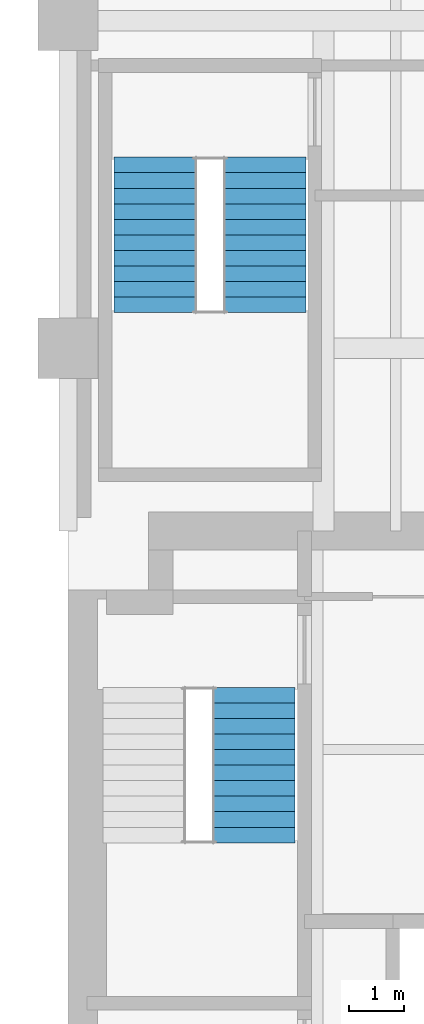
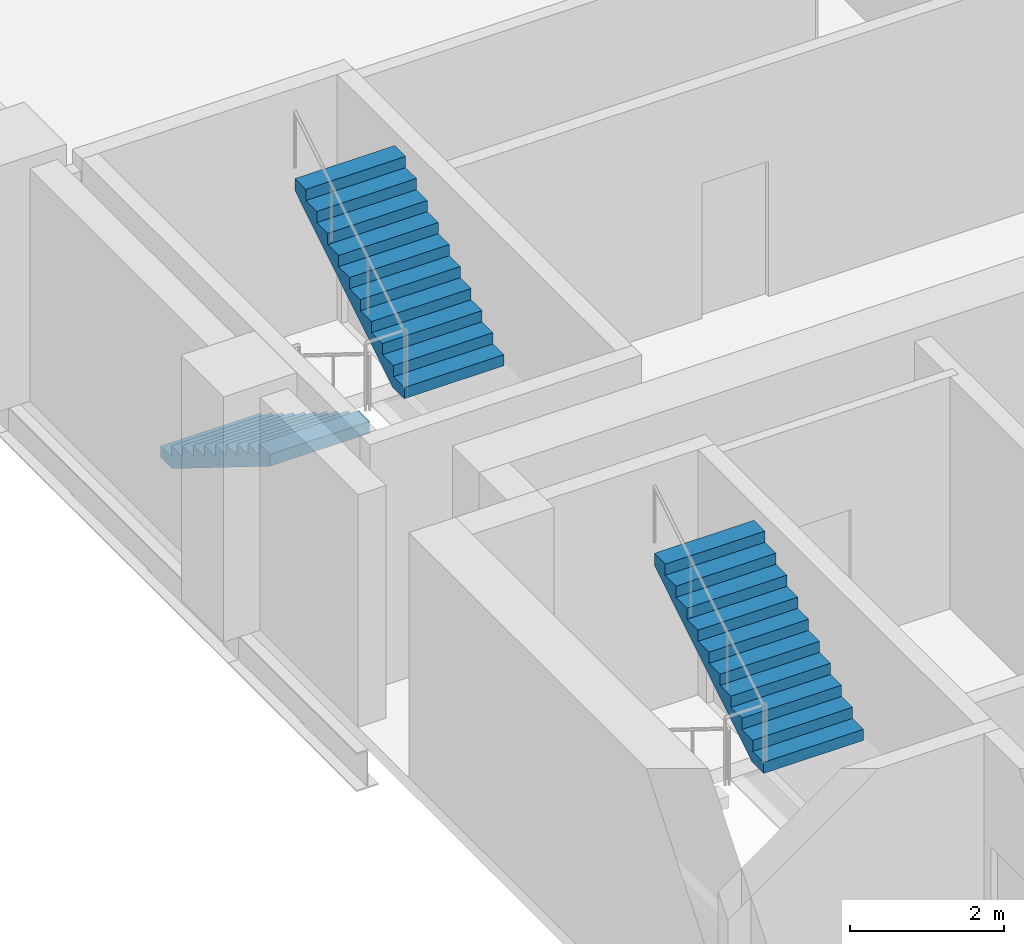
# One storey, part 6 of 8: 3 stair flights, 2 elements without a shape of their own.
"""IFC4 building model written with IfcOpenShell, lengths in metres."""

from ifc_helpers import new_model, si_unit, direction, frame, origin, place, context, subcontext, project, spatial, polyline, outline, extrude, material, type_object, element, aggregate, save


model = new_model("IFC4")

# Units and contexts
model_context = context("Model", 3, precision=1e-05, world=origin(), true_north=direction((0.0, 1.0)))
body_context = subcontext(model_context, "Body", "Model", "MODEL_VIEW")
ifc_project = project(units=[si_unit("LENGTHUNIT", "METRE"), si_unit("AREAUNIT", "SQUARE_METRE"), si_unit("VOLUMEUNIT", "CUBIC_METRE"), si_unit("PLANEANGLEUNIT", "RADIAN"), si_unit("MASSUNIT", "GRAM", prefix="KILO")], contexts=[model_context])

# Site, building, storey
site_placement = place(None, origin())
site = spatial("IfcSite", under=ifc_project, at=site_placement, CompositionType="ELEMENT")
building_placement = place(site_placement, origin())
building = spatial("IfcBuilding", under=site, at=building_placement, Name="Mawjdan Bourse Tower", CompositionType="ELEMENT")
storey_placement = place(building_placement, frame((0.0, 0.0, 97.199951171875)))
storey = spatial("IfcBuildingStorey", under=building, at=storey_placement, Name="L22", CompositionType="ELEMENT", Elevation=97.199951171875)

# Stair, stair flight
ifc_material = material(Name="Concrete C50/60", Category="concrete")
stair_type = type_object("IfcStairType", Name="STR-CORE-1500", PredefinedType="HALF_TURN_STAIR", material=ifc_material)
stair_1_placement = place(storey_placement, origin())
stair_1 = element("IfcStair", 1, at=stair_1_placement, inside=storey, type_object=stair_type, Name="L22 Exit Stair 2 (Core North-West)", PredefinedType="HALF_TURN_STAIR")
stair_flight_type = type_object("IfcStairFlightType", Name="SFL-RC-1500", PredefinedType="STRAIGHT", material=ifc_material)
stair_flight_1_placement = place(storey_placement, frame((9.409912109375, 14.93994140625, 1.949951171875), z_axis=(0.0, 0.0, 1.0), x_axis=(0.0, 1.0, 0.0)))
stair_flight_1 = element("IfcStairFlight", 2, at=stair_flight_1_placement, type_object=stair_flight_type, Name="ST2-L22 flight 2", NumberOfRisers=11, NumberOfTreads=10, PredefinedType="STRAIGHT", RiserHeight=0.177273, TreadLength=0.285, context=body_context, shape_type="SweptSolid", body=[
    extrude(outline(polyline([(0.0, 0.0), (0.0, 0.17724609375), (0.284912109375, 0.17724609375), (0.284912109375, 0.3544921875), (0.570068359375, 0.3544921875), (0.570068359375, 0.53173828125), (0.85498046875, 0.53173828125), (0.85498046875, 0.708984375), (1.139892578125, 0.708984375), (1.139892578125, 0.886474609375), (1.425048828125, 0.886474609375), (1.425048828125, 1.063720703125), (1.7099609375, 1.063720703125), (1.7099609375, 1.240966796875), (1.9951171875, 1.240966796875), (1.9951171875, 1.418212890625), (2.280029296875, 1.418212890625), (2.280029296875, 1.595458984375), (2.56494140625, 1.595458984375), (2.56494140625, 1.772705078125), (2.85009765625, 1.772705078125), (2.85009765625, 1.949951171875), (2.85009765625, 1.58447265625), (0.302734375, 0.0), (0.0, 0.0)])), frame((0.0, 0.75, 0.0), z_axis=(0.0, -1.0, 0.0), x_axis=(1.0, 0.0, 0.0)), (0.0, 0.0, 1.0), 1.5),
])
aggregate(stair_1, [stair_flight_1])

# Stair, stair flights
stair_2_placement = place(storey_placement, origin())
stair_2 = element("IfcStair", 3, at=stair_2_placement, inside=storey, type_object=stair_type, Name="L22 Exit Stair 3 (North Wing)", PredefinedType="HALF_TURN_STAIR")
stair_flight_2_placement = place(storey_placement, frame((7.590087890625, 27.5, 0.0), z_axis=(0.0, 0.0, 1.0), x_axis=(0.0, -1.0, 0.0)))
stair_flight_2 = element("IfcStairFlight", 4, at=stair_flight_2_placement, type_object=stair_flight_type, Name="ST3-L22 flight 1", NumberOfRisers=11, NumberOfTreads=10, PredefinedType="STRAIGHT", RiserHeight=0.177273, TreadLength=0.285, context=body_context, shape_type="SweptSolid", body=[
    extrude(outline(polyline([(0.0, 0.0), (0.0, 0.17724609375), (0.284912109375, 0.17724609375), (0.284912109375, 0.3544921875), (0.570068359375, 0.3544921875), (0.570068359375, 0.53173828125), (0.85498046875, 0.53173828125), (0.85498046875, 0.708984375), (1.139892578125, 0.708984375), (1.139892578125, 0.886474609375), (1.425048828125, 0.886474609375), (1.425048828125, 1.063720703125), (1.7099609375, 1.063720703125), (1.7099609375, 1.240966796875), (1.9951171875, 1.240966796875), (1.9951171875, 1.418212890625), (2.280029296875, 1.418212890625), (2.280029296875, 1.595458984375), (2.56494140625, 1.595458984375), (2.56494140625, 1.772705078125), (2.85009765625, 1.772705078125), (2.85009765625, 1.949951171875), (2.85009765625, 1.58447265625), (0.302734375, 0.0), (0.0, 0.0)])), frame((0.0, 0.75, 0.0), z_axis=(0.0, -1.0, 0.0), x_axis=(1.0, 0.0, 0.0)), (0.0, 0.0, 1.0), 1.5),
])
stair_flight_3_placement = place(storey_placement, frame((9.610107421875, 24.64990234375, 1.949951171875), z_axis=(0.0, 0.0, 1.0), x_axis=(0.0, 1.0, 0.0)))
stair_flight_3 = element("IfcStairFlight", 5, at=stair_flight_3_placement, type_object=stair_flight_type, Name="ST3-L22 flight 2", NumberOfRisers=11, NumberOfTreads=10, PredefinedType="STRAIGHT", RiserHeight=0.177273, TreadLength=0.285, context=body_context, shape_type="SweptSolid", body=[
    extrude(outline(polyline([(0.0, 0.0), (0.0, 0.17724609375), (0.284912109375, 0.17724609375), (0.284912109375, 0.3544921875), (0.570068359375, 0.3544921875), (0.570068359375, 0.53173828125), (0.85498046875, 0.53173828125), (0.85498046875, 0.708984375), (1.139892578125, 0.708984375), (1.139892578125, 0.886474609375), (1.425048828125, 0.886474609375), (1.425048828125, 1.063720703125), (1.7099609375, 1.063720703125), (1.7099609375, 1.240966796875), (1.9951171875, 1.240966796875), (1.9951171875, 1.418212890625), (2.280029296875, 1.418212890625), (2.280029296875, 1.595458984375), (2.56494140625, 1.595458984375), (2.56494140625, 1.772705078125), (2.85009765625, 1.772705078125), (2.85009765625, 1.949951171875), (2.85009765625, 1.58447265625), (0.302734375, 0.0), (0.0, 0.0)])), frame((0.0, 0.75, 0.0), z_axis=(0.0, -1.0, 0.0), x_axis=(1.0, 0.0, 0.0)), (0.0, 0.0, 1.0), 1.5),
])
aggregate(stair_2, [stair_flight_2, stair_flight_3])

save(model, "model.ifc")
